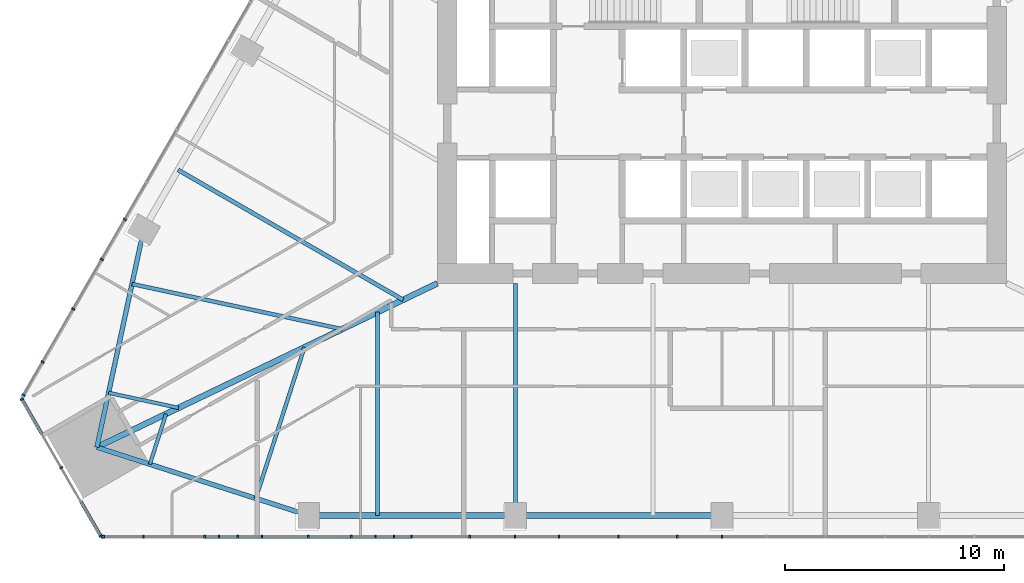
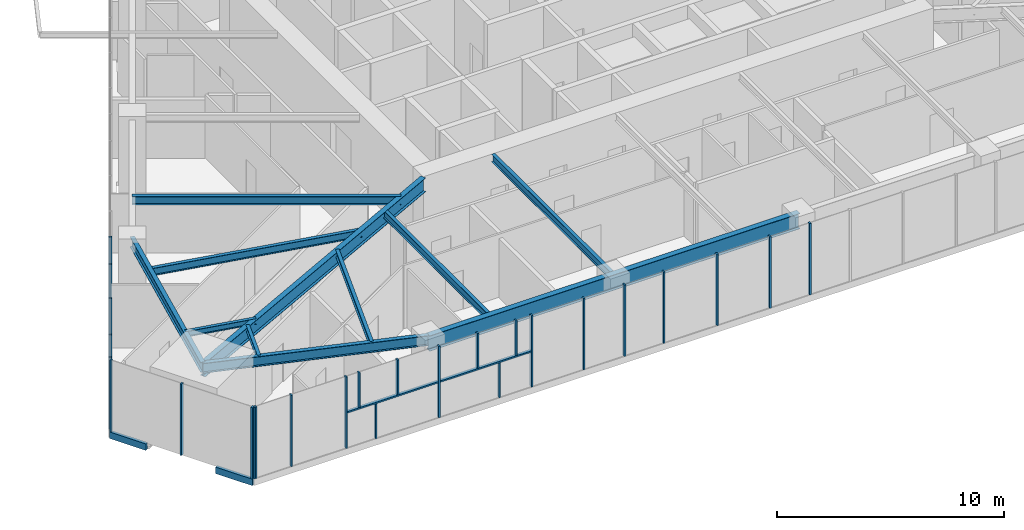
# One storey, part 2 of 29: 30 members, 11 beams, 3 elements without a shape of their own.
"""IFC4 building model written with IfcOpenShell, lengths in metres."""

from ifc_helpers import new_model, si_unit, direction, frame, origin, origin_2d, place, context, subcontext, project, spatial, rectangle, i_section, extrude, material, layer, layer_set, material_profile, profile_set, type_object, element, aggregate, save


model = new_model("IFC4")

# Units and contexts
model_context = context("Model", 3, precision=1e-05, world=origin(), true_north=direction((0.0, 1.0)))
body_context = subcontext(model_context, "Body", "Model", "MODEL_VIEW")
ifc_project = project(units=[si_unit("LENGTHUNIT", "METRE"), si_unit("AREAUNIT", "SQUARE_METRE"), si_unit("VOLUMEUNIT", "CUBIC_METRE"), si_unit("PLANEANGLEUNIT", "RADIAN"), si_unit("MASSUNIT", "GRAM", prefix="KILO")], contexts=[model_context])

# Site, building, storey
site_placement = place(None, origin())
site = spatial("IfcSite", under=ifc_project, at=site_placement, CompositionType="ELEMENT")
building_placement = place(site_placement, origin())
building = spatial("IfcBuilding", under=site, at=building_placement, Name="Firuza Gate Tower and Library", CompositionType="ELEMENT")
storey_placement = place(building_placement, frame((0.0, 0.0, 82.0)))
storey = spatial("IfcBuildingStorey", under=building, at=storey_placement, Name="L18", CompositionType="ELEMENT", Elevation=82.0)

# Curtain wall, members
ifc_material_1 = material(Name="Aluminium 6063-T6", Category="aluminium")
ifc_layer_1 = layer(ifc_material_1, 0.14990234375)
ifc_layer_set_1 = layer_set([ifc_layer_1], Name="Unitised curtain wall, offices")
curtain_wall_type_1 = type_object("IfcCurtainWallType", Name="Unitised curtain wall, offices", PredefinedType="NOTDEFINED", material=ifc_layer_set_1)
placement = place(storey_placement, origin())
curtain_wall_1 = element("IfcCurtainWall", 1, at=placement, inside=storey, type_object=curtain_wall_type_1, Name="CW1 L18 S face", PredefinedType="NOTDEFINED")
ifc_material_2 = material(Name="Aluminium 6063-T6", Category="aluminium")
ifc_material_profile_1 = material_profile(ifc_material_2, rectangle(XDim=0.14990234375, YDim=0.080078125, at=origin_2d()))
ifc_profile_set_1 = profile_set([ifc_material_profile_1], Name="Aluminium 6063-T6")
member_type_1 = type_object("IfcMemberType", Name="Curtain wall mullion 80x150", PredefinedType="MULLION", material=ifc_profile_set_1)
member_1_placement = place(storey_placement, frame((46.688232421875, 54.42431640625, 0.14990234375), z_axis=(0.0, 0.0, 1.0), x_axis=(0.0, 1.0, 0.0)))
member_1 = element("IfcMember", 2, at=member_1_placement, type_object=member_type_1, Name="Mullion", PredefinedType="MULLION", context=body_context, shape_type="SweptSolid", body=[
    extrude(rectangle(XDim=0.14990234375, YDim=0.080078125, at=origin_2d()), origin(), (0.0, 0.0, 1.0), 3.85009765625),
])
member_2_placement = place(storey_placement, frame((51.37353515625, 54.42431640625, 0.14990234375), z_axis=(0.0, 0.0, 1.0), x_axis=(0.0, 1.0, 0.0)))
member_2 = element("IfcMember", 3, at=member_2_placement, type_object=member_type_1, Name="Mullion", PredefinedType="MULLION", context=body_context, shape_type="SweptSolid", body=[
    extrude(rectangle(XDim=0.14990234375, YDim=0.080078125, at=origin_2d()), origin(), (0.0, 0.0, 1.0), 3.85009765625),
])
member_3_placement = place(storey_placement, frame((56.098876953125, 54.42431640625, 0.14990234375), z_axis=(0.0, 0.0, 1.0), x_axis=(0.0, 1.0, 0.0)))
member_3 = element("IfcMember", 4, at=member_3_placement, type_object=member_type_1, Name="Mullion", PredefinedType="MULLION", context=body_context, shape_type="SweptSolid", body=[
    extrude(rectangle(XDim=0.14990234375, YDim=0.080078125, at=origin_2d()), origin(), (0.0, 0.0, 1.0), 3.85009765625),
])
member_4_placement = place(storey_placement, frame((60.82421875, 54.42431640625, 0.14990234375), z_axis=(0.0, 0.0, 1.0), x_axis=(0.0, 1.0, 0.0)))
member_4 = element("IfcMember", 5, at=member_4_placement, type_object=member_type_1, Name="Mullion", PredefinedType="MULLION", context=body_context, shape_type="SweptSolid", body=[
    extrude(rectangle(XDim=0.14990234375, YDim=0.080078125, at=origin_2d()), origin(), (0.0, 0.0, 1.0), 3.85009765625),
])
member_5_placement = place(storey_placement, frame((65.54931640625, 54.42431640625, 0.14990234375), z_axis=(0.0, 0.0, 1.0), x_axis=(0.0, 1.0, 0.0)))
member_5 = element("IfcMember", 6, at=member_5_placement, type_object=member_type_1, Name="Mullion", PredefinedType="MULLION", context=body_context, shape_type="SweptSolid", body=[
    extrude(rectangle(XDim=0.14990234375, YDim=0.080078125, at=origin_2d()), origin(), (0.0, 0.0, 1.0), 3.85009765625),
])
member_6_placement = place(storey_placement, frame((70.274658203125, 54.42431640625, 0.14990234375), z_axis=(0.0, 0.0, 1.0), x_axis=(0.0, 1.0, 0.0)))
member_6 = element("IfcMember", 7, at=member_6_placement, type_object=member_type_1, Name="Mullion", PredefinedType="MULLION", context=body_context, shape_type="SweptSolid", body=[
    extrude(rectangle(XDim=0.14990234375, YDim=0.080078125, at=origin_2d()), origin(), (0.0, 0.0, 1.0), 3.85009765625),
])
member_7_placement = place(storey_placement, frame((75.0, 54.42431640625, 0.14990234375), z_axis=(0.0, 0.0, 1.0), x_axis=(0.0, 1.0, 0.0)))
member_7 = element("IfcMember", 8, at=member_7_placement, type_object=member_type_1, Name="Mullion", PredefinedType="MULLION", context=body_context, shape_type="SweptSolid", body=[
    extrude(rectangle(XDim=0.14990234375, YDim=0.080078125, at=origin_2d()), origin(), (0.0, 0.0, 1.0), 3.85009765625),
])
member_8_placement = place(storey_placement, frame((46.766845703125, 54.42431640625, 0.14990234375), z_axis=(0.0, 0.0, 1.0), x_axis=(0.0, 1.0, 0.0)))
member_8 = element("IfcMember", 9, at=member_8_placement, type_object=member_type_1, Name="Mullion", PredefinedType="MULLION", context=body_context, shape_type="SweptSolid", body=[
    extrude(rectangle(XDim=0.14990234375, YDim=0.080078125, at=origin_2d()), origin(), (0.0, 0.0, 1.0), 3.85009765625),
])
member_9_placement = place(storey_placement, frame((48.581298828125, 54.42431640625, 0.14990234375), z_axis=(0.0, 0.0, 1.0), x_axis=(0.0, 1.0, 0.0)))
member_9 = element("IfcMember", 10, at=member_9_placement, type_object=member_type_1, Name="Mullion", PredefinedType="MULLION", context=body_context, shape_type="SweptSolid", body=[
    extrude(rectangle(XDim=0.14990234375, YDim=0.080078125, at=origin_2d()), origin(), (0.0, 0.0, 1.0), 3.85009765625),
])
member_10_placement = place(storey_placement, frame((52.882568359375, 54.42431640625, 0.14990234375), z_axis=(0.0, 0.0, 1.0), x_axis=(0.0, 1.0, 0.0)))
member_10 = element("IfcMember", 11, at=member_10_placement, type_object=member_type_1, Name="Mullion", PredefinedType="MULLION", context=body_context, shape_type="SweptSolid", body=[
    extrude(rectangle(XDim=0.14990234375, YDim=0.080078125, at=origin_2d()), origin(), (0.0, 0.0, 1.0), 1.885009765625),
])
member_11_placement = place(storey_placement, frame((52.033935546875, 54.42431640625, 2.114990234375), z_axis=(0.0, 0.0, 1.0), x_axis=(0.0, 1.0, 0.0)))
member_11 = element("IfcMember", 12, at=member_11_placement, type_object=member_type_1, Name="Mullion", PredefinedType="MULLION", context=body_context, shape_type="SweptSolid", body=[
    extrude(rectangle(XDim=0.14990234375, YDim=0.080078125, at=origin_2d()), origin(), (0.0, 0.0, 1.0), 1.885009765625),
])
member_12_placement = place(storey_placement, frame((53.9921875, 54.42431640625, 2.114990234375), z_axis=(0.0, 0.0, 1.0), x_axis=(0.0, 1.0, 0.0)))
member_12 = element("IfcMember", 13, at=member_12_placement, type_object=member_type_1, Name="Mullion", PredefinedType="MULLION", context=body_context, shape_type="SweptSolid", body=[
    extrude(rectangle(XDim=0.14990234375, YDim=0.080078125, at=origin_2d()), origin(), (0.0, 0.0, 1.0), 1.885009765625),
])
member_13_placement = place(storey_placement, frame((59.17626953125, 54.42431640625, 0.14990234375), z_axis=(0.0, 0.0, 1.0), x_axis=(0.0, 1.0, 0.0)))
member_13 = element("IfcMember", 14, at=member_13_placement, type_object=member_type_1, Name="Mullion", PredefinedType="MULLION", context=body_context, shape_type="SweptSolid", body=[
    extrude(rectangle(XDim=0.14990234375, YDim=0.080078125, at=origin_2d()), origin(), (0.0, 0.0, 1.0), 1.885009765625),
])
member_14_placement = place(storey_placement, frame((58.066650390625, 54.42431640625, 2.114990234375), z_axis=(0.0, 0.0, 1.0), x_axis=(0.0, 1.0, 0.0)))
member_14 = element("IfcMember", 15, at=member_14_placement, type_object=member_type_1, Name="Mullion", PredefinedType="MULLION", context=body_context, shape_type="SweptSolid", body=[
    extrude(rectangle(XDim=0.14990234375, YDim=0.080078125, at=origin_2d()), origin(), (0.0, 0.0, 1.0), 1.885009765625),
])
member_15_placement = place(storey_placement, frame((60.02490234375, 54.42431640625, 2.114990234375), z_axis=(0.0, 0.0, 1.0), x_axis=(0.0, 1.0, 0.0)))
member_15 = element("IfcMember", 16, at=member_15_placement, type_object=member_type_1, Name="Mullion", PredefinedType="MULLION", context=body_context, shape_type="SweptSolid", body=[
    extrude(rectangle(XDim=0.14990234375, YDim=0.080078125, at=origin_2d()), origin(), (0.0, 0.0, 1.0), 1.885009765625),
])
member_16_placement = place(storey_placement, frame((63.477294921875, 54.42431640625, 0.14990234375), z_axis=(0.0, 0.0, 1.0), x_axis=(0.0, 1.0, 0.0)))
member_16 = element("IfcMember", 17, at=member_16_placement, type_object=member_type_1, Name="Mullion", PredefinedType="MULLION", context=body_context, shape_type="SweptSolid", body=[
    extrude(rectangle(XDim=0.14990234375, YDim=0.080078125, at=origin_2d()), origin(), (0.0, 0.0, 1.0), 3.85009765625),
])
member_17_placement = place(storey_placement, frame((67.552001953125, 54.42431640625, 0.14990234375), z_axis=(0.0, 0.0, 1.0), x_axis=(0.0, 1.0, 0.0)))
member_17 = element("IfcMember", 18, at=member_17_placement, type_object=member_type_1, Name="Mullion", PredefinedType="MULLION", context=body_context, shape_type="SweptSolid", body=[
    extrude(rectangle(XDim=0.14990234375, YDim=0.080078125, at=origin_2d()), origin(), (0.0, 0.0, 1.0), 3.85009765625),
])
member_18_placement = place(storey_placement, frame((72.962646484375, 54.42431640625, 0.14990234375), z_axis=(0.0, 0.0, 1.0), x_axis=(0.0, 1.0, 0.0)))
member_18 = element("IfcMember", 19, at=member_18_placement, type_object=member_type_1, Name="Mullion", PredefinedType="MULLION", context=body_context, shape_type="SweptSolid", body=[
    extrude(rectangle(XDim=0.14990234375, YDim=0.080078125, at=origin_2d()), origin(), (0.0, 0.0, 1.0), 3.85009765625),
])

curtain_wall_2 = element("IfcCurtainWall", 20, at=placement, inside=storey, type_object=curtain_wall_type_1, Name="CW1 L18 W face", PredefinedType="NOTDEFINED")
member_19_placement = place(storey_placement, frame((47.730224609375, 68.9189453125, 0.14990234375), z_axis=(0.0, 0.0, 1.0), x_axis=(0.866025403784, -0.5, 0.0)))
member_19 = element("IfcMember", 21, at=member_19_placement, type_object=member_type_1, Name="Mullion", PredefinedType="MULLION", context=body_context, shape_type="SweptSolid", body=[
    extrude(rectangle(XDim=0.14990234375, YDim=0.080078125, at=origin_2d()), origin(), (0.0, 0.0, 1.0), 3.85009765625),
])
member_20_placement = place(storey_placement, frame((45.36767578125, 64.826904296875, 0.14990234375), z_axis=(0.0, 0.0, 1.0), x_axis=(0.866025403784, -0.5, 0.0)))
member_20 = element("IfcMember", 22, at=member_20_placement, type_object=member_type_1, Name="Mullion", PredefinedType="MULLION", context=body_context, shape_type="SweptSolid", body=[
    extrude(rectangle(XDim=0.14990234375, YDim=0.080078125, at=origin_2d()), origin(), (0.0, 0.0, 1.0), 3.85009765625),
])
member_21_placement = place(storey_placement, frame((46.6767578125, 67.094482421875, 0.14990234375), z_axis=(0.0, 0.0, 1.0), x_axis=(0.866025403784, -0.5, 0.0)))
member_21 = element("IfcMember", 23, at=member_21_placement, type_object=member_type_1, Name="Mullion", PredefinedType="MULLION", context=body_context, shape_type="SweptSolid", body=[
    extrude(rectangle(XDim=0.14990234375, YDim=0.080078125, at=origin_2d()), origin(), (0.0, 0.0, 1.0), 3.85009765625),
])
member_22_placement = place(storey_placement, frame((43.971435546875, 62.40869140625, 0.14990234375), z_axis=(0.0, 0.0, 1.0), x_axis=(0.866025403784, -0.5, 0.0)))
member_22 = element("IfcMember", 24, at=member_22_placement, type_object=member_type_1, Name="Mullion", PredefinedType="MULLION", context=body_context, shape_type="SweptSolid", body=[
    extrude(rectangle(XDim=0.14990234375, YDim=0.080078125, at=origin_2d()), origin(), (0.0, 0.0, 1.0), 3.85009765625),
])
member_23_placement = place(storey_placement, frame((43.096923828125, 60.893798828125, 0.14990234375), z_axis=(0.0, 0.0, 1.0), x_axis=(0.866025403784, -0.5, 0.0)))
member_23 = element("IfcMember", 25, at=member_23_placement, type_object=member_type_1, Name="Mullion", PredefinedType="MULLION", context=body_context, shape_type="SweptSolid", body=[
    extrude(rectangle(XDim=0.14990234375, YDim=0.080078125, at=origin_2d()), origin(), (0.0, 0.0, 1.0), 3.85009765625),
])
aggregate(curtain_wall_2, [member_19, member_20, member_21, member_22, member_23])

ifc_material_3 = material(Name="Aluminium 6063-T6", Category="aluminium")
ifc_layer_2 = layer(ifc_material_3, 0.14990234375)
ifc_layer_set_2 = layer_set([ifc_layer_2], Name="Corner curtain wall, chamfers")
curtain_wall_type_2 = type_object("IfcCurtainWallType", Name="Corner curtain wall, chamfers", PredefinedType="NOTDEFINED", material=ifc_layer_set_2)
curtain_wall_3 = element("IfcCurtainWall", 26, at=placement, inside=storey, type_object=curtain_wall_type_2, Name="CW4 L18 SW corner", PredefinedType="NOTDEFINED")
member_24_placement = place(storey_placement, frame((43.02490234375, 60.699951171875, 0.14990234375), z_axis=(0.0, 0.0, 1.0), x_axis=(0.866025403784, 0.5, 0.0)))
member_24 = element("IfcMember", 27, at=member_24_placement, type_object=member_type_1, Name="Mullion", PredefinedType="MULLION", context=body_context, shape_type="SweptSolid", body=[
    extrude(rectangle(XDim=0.14990234375, YDim=0.080078125, at=origin_2d()), origin(), (0.0, 0.0, 1.0), 3.85009765625),
])
member_25_placement = place(storey_placement, frame((44.82666015625, 57.579345703125, 0.14990234375), z_axis=(0.0, 0.0, 1.0), x_axis=(0.866025403784, 0.5, 0.0)))
member_25 = element("IfcMember", 28, at=member_25_placement, type_object=member_type_1, Name="Mullion", PredefinedType="MULLION", context=body_context, shape_type="SweptSolid", body=[
    extrude(rectangle(XDim=0.14990234375, YDim=0.080078125, at=origin_2d()), origin(), (0.0, 0.0, 1.0), 3.85009765625),
])
member_26_placement = place(storey_placement, frame((46.628173828125, 54.458740234375, 0.14990234375), z_axis=(0.0, 0.0, 1.0), x_axis=(0.866025403784, 0.5, 0.0)))
member_26 = element("IfcMember", 29, at=member_26_placement, type_object=member_type_1, Name="Mullion", PredefinedType="MULLION", context=body_context, shape_type="SweptSolid", body=[
    extrude(rectangle(XDim=0.14990234375, YDim=0.080078125, at=origin_2d()), origin(), (0.0, 0.0, 1.0), 3.85009765625),
])
ifc_material_4 = material(Name="Aluminium 6063-T6", Category="aluminium")
ifc_material_profile_2 = material_profile(ifc_material_4, rectangle(XDim=0.14990234375, YDim=0.35009765625, at=origin_2d()))
ifc_profile_set_2 = profile_set([ifc_material_profile_2], Name="Aluminium 6063-T6")
member_type_2 = type_object("IfcMemberType", Name="Curtain wall transom 350x150", PredefinedType="USERDEFINED", material=ifc_profile_set_2)
member_27_placement = place(storey_placement, frame((43.0048828125, 60.734619140625, -0.02490234375), z_axis=(0.500013496215, -0.866017611601, 0.0), x_axis=(0.866017611601, 0.500013496215, 0.0)))
member_27 = element("IfcMember", 30, at=member_27_placement, type_object=member_type_2, Name="Transom", ObjectType="TRANSOM", PredefinedType="USERDEFINED", context=body_context, shape_type="SweptSolid", body=[
    extrude(rectangle(XDim=0.14990234375, YDim=0.35009765625, at=origin_2d()), origin(), (0.0, 0.0, 1.0), 1.86376953125),
])
member_28_placement = place(storey_placement, frame((45.716552734375, 56.0380859375, -0.02490234375), z_axis=(0.499971966783, -0.866041588165, 0.0), x_axis=(0.866041588165, 0.499971966783, 0.0)))
member_28 = element("IfcMember", 31, at=member_28_placement, type_object=member_type_2, Name="Transom", ObjectType="TRANSOM", PredefinedType="USERDEFINED", context=body_context, shape_type="SweptSolid", body=[
    extrude(rectangle(XDim=0.14990234375, YDim=0.35009765625, at=origin_2d()), origin(), (0.0, 0.0, 1.0), 1.86328125),
])
aggregate(curtain_wall_3, [member_24, member_25, member_26, member_27, member_28])

# Member
ifc_material_5 = material(Name="Aluminium 6063-T6", Category="aluminium")
ifc_material_profile_3 = material_profile(ifc_material_5, rectangle(XDim=0.14990234375, YDim=0.080078125, at=origin_2d()))
ifc_profile_set_3 = profile_set([ifc_material_profile_3], Name="Aluminium 6063-T6")
member_type_3 = type_object("IfcMemberType", Name="Curtain wall transom 80x150", PredefinedType="USERDEFINED", material=ifc_profile_set_3)
member_29_placement = place(storey_placement, frame((51.41357421875, 54.42431640625, 2.074951171875), z_axis=(1.0, 0.0, 0.0), x_axis=(0.0, 1.0, 0.0)))
member_29 = element("IfcMember", 32, at=member_29_placement, type_object=member_type_3, Name="Transom", ObjectType="TRANSOM", PredefinedType="USERDEFINED", context=body_context, shape_type="SweptSolid", body=[
    extrude(rectangle(XDim=0.14990234375, YDim=0.080078125, at=origin_2d()), origin(), (0.0, 0.0, 1.0), 4.645263671875),
])

member_30_placement = place(storey_placement, frame((56.138916015625, 54.42431640625, 2.074951171875), z_axis=(1.0, 0.0, 0.0), x_axis=(0.0, 1.0, 0.0)))
member_30 = element("IfcMember", 33, at=member_30_placement, type_object=member_type_3, Name="Transom", ObjectType="TRANSOM", PredefinedType="USERDEFINED", context=body_context, shape_type="SweptSolid", body=[
    extrude(rectangle(XDim=0.14990234375, YDim=0.080078125, at=origin_2d()), origin(), (0.0, 0.0, 1.0), 4.645263671875),
])

aggregate(curtain_wall_1, [member_1, member_2, member_3, member_4, member_5, member_6, member_7, member_8, member_9, member_10, member_11, member_12, member_29, member_13, member_14, member_15, member_30, member_16, member_17, member_18])

# Beams
ifc_material_6 = material(Name="Steel S355", Category="steel")
ifc_material_profile_4 = material_profile(ifc_material_6, i_section(OverallWidth=0.1650390625, OverallDepth=0.31005859375, WebThickness=0.005859375, FlangeThickness=0.009765625, at=origin_2d()))
ifc_profile_set_4 = profile_set([ifc_material_profile_4], Name="Steel S355")
beam_type_1 = type_object("IfcBeamType", Name="W310x39 Floor beam", PredefinedType="JOIST", material=ifc_profile_set_4)
beam_1_placement = place(storey_placement, frame((46.985107421875, 61.001708984375, 3.844970703125), z_axis=(0.977627361997, -0.210344339297, 0.0), x_axis=(0.210344339297, 0.977627361997, 0.0)))
element("IfcBeam", 34, at=beam_1_placement, inside=storey, type_object=beam_type_1, Name="Floor beam L18 s01", PredefinedType="JOIST", context=body_context, shape_type="SweptSolid", body=[
    extrude(i_section(OverallWidth=0.1650390625, OverallDepth=0.31005859375, WebThickness=0.005859375, FlangeThickness=0.009765625, at=origin_2d()), origin(), (0.0, 0.0, 1.0), 3.27197265625),
])
beam_2_placement = place(storey_placement, frame((48.86962890625, 57.737548828125, 3.844970703125), z_axis=(0.306695801179, 0.951807588507, 0.0), x_axis=(-0.951807588507, 0.306695801179, 0.0)))
element("IfcBeam", 35, at=beam_2_placement, inside=storey, type_object=beam_type_1, Name="Floor beam L18 s10", PredefinedType="JOIST", context=body_context, shape_type="SweptSolid", body=[
    extrude(i_section(OverallWidth=0.1650390625, OverallDepth=0.31005859375, WebThickness=0.005859375, FlangeThickness=0.009765625, at=origin_2d()), origin(), (0.0, 0.0, 1.0), 2.416748046875),
])
ifc_material_7 = material(Name="Steel S355", Category="steel")
ifc_material_profile_5 = material_profile(ifc_material_7, i_section(OverallWidth=0.1708984375, OverallDepth=0.35498046875, WebThickness=0.007080078125, FlangeThickness=0.01171875, at=origin_2d()))
ifc_profile_set_5 = profile_set([ifc_material_profile_5], Name="Steel S355")
beam_type_2 = type_object("IfcBeamType", Name="W360x51 Floor beam", PredefinedType="JOIST", material=ifc_profile_set_5)
beam_3_placement = place(storey_placement, frame((53.70849609375, 56.1787109375, 3.822509765625), z_axis=(0.306634787588, 0.951827246427, 0.0), x_axis=(-0.951827246427, 0.306634787588, 0.0)))
element("IfcBeam", 36, at=beam_3_placement, inside=storey, type_object=beam_type_2, Name="Floor beam L18 s11", PredefinedType="JOIST", context=body_context, shape_type="SweptSolid", body=[
    extrude(i_section(OverallWidth=0.1708984375, OverallDepth=0.35498046875, WebThickness=0.007080078125, FlangeThickness=0.01171875, at=origin_2d()), origin(), (0.0, 0.0, 1.0), 7.250244140625),
])
ifc_material_8 = material(Name="Steel S355", Category="steel")
ifc_material_profile_6 = material_profile(ifc_material_8, i_section(OverallWidth=0.177978515625, OverallDepth=0.406982421875, WebThickness=0.0078125, FlangeThickness=0.0126953125, at=origin_2d()))
ifc_profile_set_6 = profile_set([ifc_material_profile_6], Name="Steel S355")
beam_type_3 = type_object("IfcBeamType", Name="W410x60 Floor beam", PredefinedType="JOIST", material=ifc_profile_set_6)
beam_4_placement = place(storey_placement, frame((48.054443359375, 65.9716796875, 3.79638671875), z_axis=(0.977627361997, -0.210344339297, 0.0), x_axis=(0.210344339297, 0.977627361997, 0.0)))
element("IfcBeam", 37, at=beam_4_placement, inside=storey, type_object=beam_type_3, Name="Floor beam L18 s00", PredefinedType="JOIST", context=body_context, shape_type="SweptSolid", body=[
    extrude(i_section(OverallWidth=0.177978515625, OverallDepth=0.406982421875, WebThickness=0.0078125, FlangeThickness=0.0126953125, at=origin_2d()), origin(), (0.0, 0.0, 1.0), 9.81591796875),
])
beam_5_placement = place(storey_placement, frame((59.273193359375, 55.399169921875, 3.79638671875), z_axis=(0.0, 1.0, 0.0), x_axis=(-1.0, 0.0, 0.0)))
element("IfcBeam", 38, at=beam_5_placement, inside=storey, type_object=beam_type_3, Name="Floor beam L18 s20", PredefinedType="JOIST", context=body_context, shape_type="SweptSolid", body=[
    extrude(i_section(OverallWidth=0.177978515625, OverallDepth=0.406982421875, WebThickness=0.0078125, FlangeThickness=0.0126953125, at=origin_2d()), origin(), (0.0, 0.0, 1.0), 9.28857421875),
])
beam_6_placement = place(storey_placement, frame((65.56396484375, 55.399169921875, 3.79638671875), z_axis=(0.0, 1.0, 0.0), x_axis=(-1.0, 0.0, 0.0)))
element("IfcBeam", 39, at=beam_6_placement, inside=storey, type_object=beam_type_3, Name="Floor beam L18 s21", PredefinedType="JOIST", context=body_context, shape_type="SweptSolid", body=[
    extrude(i_section(OverallWidth=0.177978515625, OverallDepth=0.406982421875, WebThickness=0.0078125, FlangeThickness=0.0126953125, at=origin_2d()), origin(), (0.0, 0.0, 1.0), 10.600830078125),
])
ifc_material_9 = material(Name="Steel S355", Category="steel")
ifc_material_profile_7 = material_profile(ifc_material_9, i_section(OverallWidth=0.18994140625, OverallDepth=0.45703125, WebThickness=0.009033203125, FlangeThickness=0.014404296875, at=origin_2d()))
ifc_profile_set_7 = profile_set([ifc_material_profile_7], Name="Steel S355")
beam_type_4 = type_object("IfcBeamType", Name="W460x74 Floor beam", PredefinedType="JOIST", material=ifc_profile_set_7)
beam_7_placement = place(storey_placement, frame((50.161865234375, 71.180419921875, 3.771484375), z_axis=(0.866030020257, -0.49999200395, 0.0), x_axis=(0.49999200395, 0.866030020257, 0.0)))
element("IfcBeam", 40, at=beam_7_placement, inside=storey, type_object=beam_type_4, Name="Floor beam L18 s85", PredefinedType="JOIST", context=body_context, shape_type="SweptSolid", body=[
    extrude(i_section(OverallWidth=0.18994140625, OverallDepth=0.45703125, WebThickness=0.009033203125, FlangeThickness=0.014404296875, at=origin_2d()), origin(), (0.0, 0.0, 1.0), 11.864990234375),
])
ifc_material_10 = material(Name="Steel S355", Category="steel")
ifc_material_profile_8 = material_profile(ifc_material_10, i_section(OverallWidth=0.212890625, OverallDepth=0.5390625, WebThickness=0.01171875, FlangeThickness=0.018798828125, at=origin_2d()))
ifc_profile_set_8 = profile_set([ifc_material_profile_8], Name="Steel S355")
beam_type_5 = type_object("IfcBeamType", Name="W530x109 Edge beam", PredefinedType="SPANDREL", material=ifc_profile_set_8)
beam_8_placement = place(storey_placement, frame((48.589111328125, 68.45654296875, 3.73046875), z_axis=(-0.210350597959, -0.977626015375, 0.0), x_axis=(0.977626015375, -0.210350597959, 0.0)))
element("IfcBeam", 41, at=beam_8_placement, inside=storey, type_object=beam_type_5, Name="Edge beam L18 e00", PredefinedType="SPANDREL", context=body_context, shape_type="SweptSolid", body=[
    extrude(i_section(OverallWidth=0.212890625, OverallDepth=0.5390625, WebThickness=0.01171875, FlangeThickness=0.018798828125, at=origin_2d()), origin(), (0.0, 0.0, 1.0), 10.167236328125),
])
beam_9_placement = place(storey_placement, frame((46.450439453125, 58.516845703125, 3.73046875), z_axis=(0.951823975447, -0.306644940876, 0.0), x_axis=(0.306644940876, 0.951823975447, 0.0)))
element("IfcBeam", 42, at=beam_9_placement, inside=storey, type_object=beam_type_5, Name="Edge beam L18 e10", PredefinedType="SPANDREL", context=body_context, shape_type="SweptSolid", body=[
    extrude(i_section(OverallWidth=0.212890625, OverallDepth=0.5390625, WebThickness=0.01171875, FlangeThickness=0.018798828125, at=origin_2d()), origin(), (0.0, 0.0, 1.0), 10.1669921875),
])
ifc_material_11 = material(Name="Steel S355", Category="steel")
ifc_material_profile_9 = material_profile(ifc_material_11, i_section(OverallWidth=0.264892578125, OverallDepth=0.7529296875, WebThickness=0.01318359375, FlangeThickness=0.01708984375, at=origin_2d()))
ifc_profile_set_9 = profile_set([ifc_material_profile_9], Name="Steel S355")
beam_type_6 = type_object("IfcBeamType", Name="W760x147 Girder", PredefinedType="BEAM", material=ifc_profile_set_9)
beam_10_placement = place(storey_placement, frame((46.450439453125, 58.516845703125, 3.62353515625), z_axis=(0.901084806729, 0.433642907335, 0.0), x_axis=(-0.433642907335, 0.901084806729, 0.0)))
element("IfcBeam", 43, at=beam_10_placement, inside=storey, type_object=beam_type_6, Name="Girder L18 gSW", PredefinedType="BEAM", context=body_context, shape_type="SweptSolid", body=[
    extrude(i_section(OverallWidth=0.264892578125, OverallDepth=0.7529296875, WebThickness=0.01318359375, FlangeThickness=0.01708984375, at=origin_2d()), origin(), (0.0, 0.0, 1.0), 17.256591796875),
])
ifc_material_12 = material(Name="Steel S355", Category="steel")
ifc_material_profile_10 = material_profile(ifc_material_12, i_section(OverallWidth=0.2919921875, OverallDepth=0.8349609375, WebThickness=0.013916015625, FlangeThickness=0.018798828125, at=origin_2d()))
ifc_profile_set_10 = profile_set([ifc_material_profile_10], Name="Steel S355")
beam_type_7 = type_object("IfcBeamType", Name="W840x176 Edge beam", PredefinedType="SPANDREL", material=ifc_profile_set_10)
beam_11_placement = place(storey_placement, frame((56.127685546875, 55.399169921875, 3.58251953125), z_axis=(1.0, 0.0, 0.0), x_axis=(0.0, 1.0, 0.0)))
element("IfcBeam", 44, at=beam_11_placement, inside=storey, type_object=beam_type_7, Name="Edge beam L18 e20", PredefinedType="SPANDREL", context=body_context, shape_type="SweptSolid", body=[
    extrude(i_section(OverallWidth=0.2919921875, OverallDepth=0.8349609375, WebThickness=0.013916015625, FlangeThickness=0.018798828125, at=origin_2d()), origin(), (0.0, 0.0, 1.0), 18.872314453125),
])

save(model, "model.ifc")
